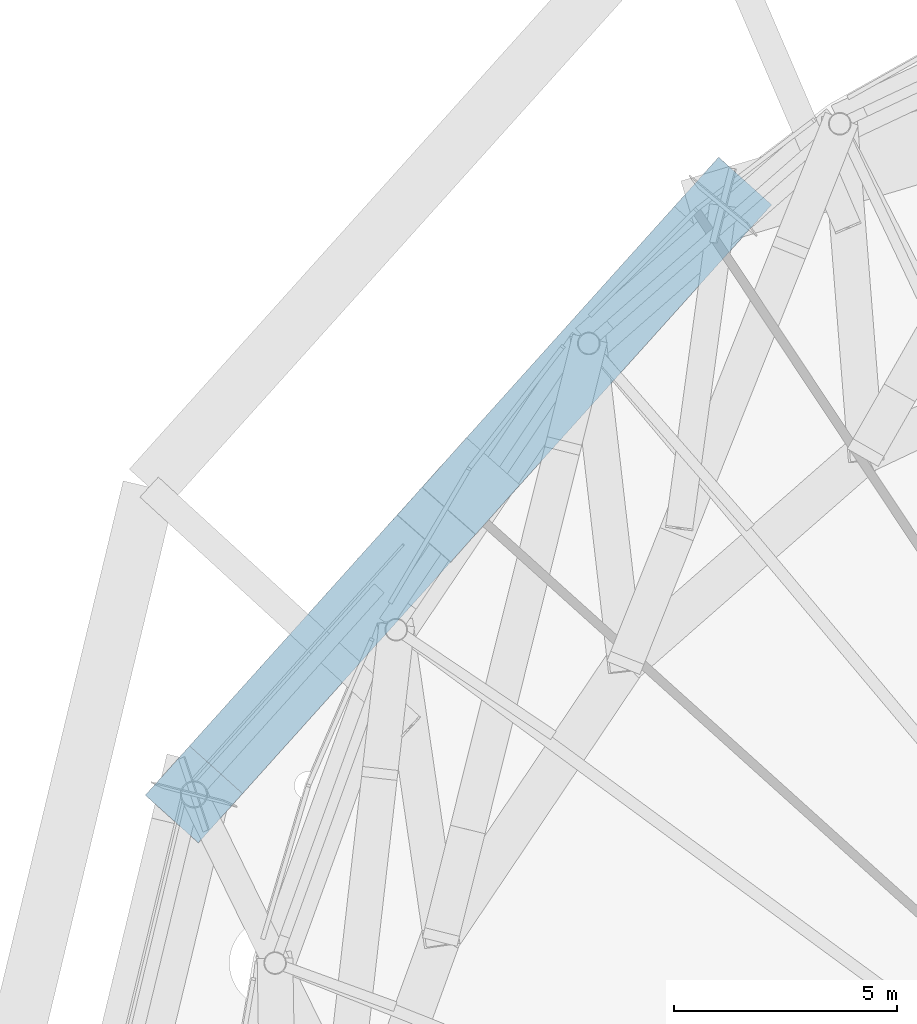
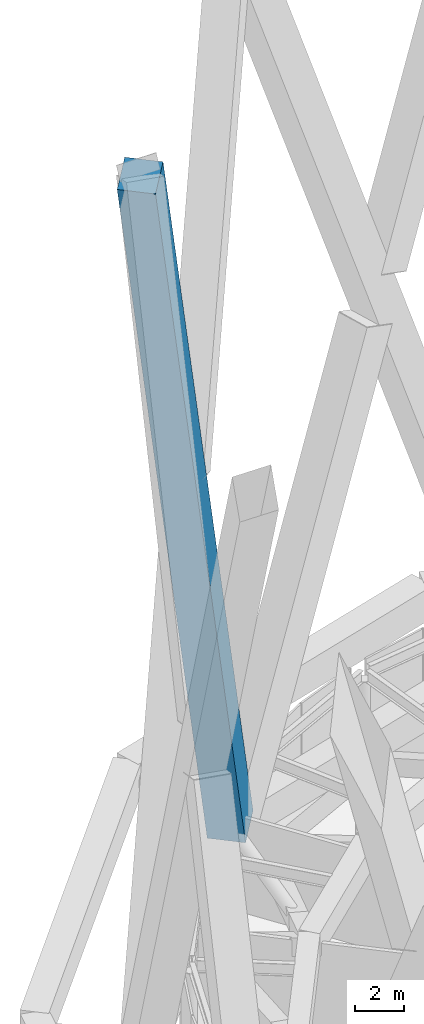
# One storey, part 25 of 65: 1 member.
"""IFC4 building model written with IfcOpenShell, lengths in metres."""

from ifc_helpers import new_model, si_unit, direction, frame, origin, origin_2d, place, context, subcontext, project, spatial, rectangle, extrude, material, material_profile, profile_set, type_object, element, save


model = new_model("IFC4")

# Units and contexts
model_context = context("Model", 3, precision=1e-05, world=origin(), true_north=direction((0.0, 1.0)))
body_context = subcontext(model_context, "Body", "Model", "MODEL_VIEW")
ifc_project = project(units=[si_unit("LENGTHUNIT", "METRE"), si_unit("AREAUNIT", "SQUARE_METRE"), si_unit("VOLUMEUNIT", "CUBIC_METRE"), si_unit("PLANEANGLEUNIT", "RADIAN"), si_unit("MASSUNIT", "GRAM", prefix="KILO")], contexts=[model_context])

# Site, building, storey
site_placement = place(None, origin())
site = spatial("IfcSite", under=ifc_project, at=site_placement, CompositionType="ELEMENT")
building_placement = place(site_placement, origin())
building = spatial("IfcBuilding", under=site, at=building_placement, Name="Nagisa Residences", CompositionType="ELEMENT")
storey_placement = place(building_placement, frame((0.0, 0.0, 114.0)))
storey = spatial("IfcBuildingStorey", under=building, at=storey_placement, Name="L28", CompositionType="ELEMENT", Elevation=114.0)

# Member
ifc_material = material(Name="Concrete C80", Category="concrete")
ifc_material_profile = material_profile(ifc_material, rectangle(XDim=1.60009765625, YDim=1.60009765625, at=origin_2d()), Name="C80 1600x1600")
ifc_profile_set = profile_set([ifc_material_profile], Name="Concrete C80")
member_type = type_object("IfcMemberType", Name="Cage diagonal 3 C80 1600x1600", PredefinedType="BRACE", material=ifc_profile_set)
member_placement = place(storey_placement, frame((-18.017578125, 28.1416015625, 3.699951171875), z_axis=(-0.247778771196, -0.275742288024, 0.928747474365), x_axis=(0.743816072087, -0.668384358663, 0.0)))
element("IfcMember", 1, at=member_placement, inside=storey, type_object=member_type, Name="mem:L28:cg3d009", PredefinedType="BRACE", context=body_context, shape_type="SweptSolid", body=[
    extrude(rectangle(XDim=1.60009765625, YDim=1.60009765625, at=origin_2d()), origin(), (0.0, 0.0, 1.0), 47.9140625),
])

save(model, "model.ifc")
